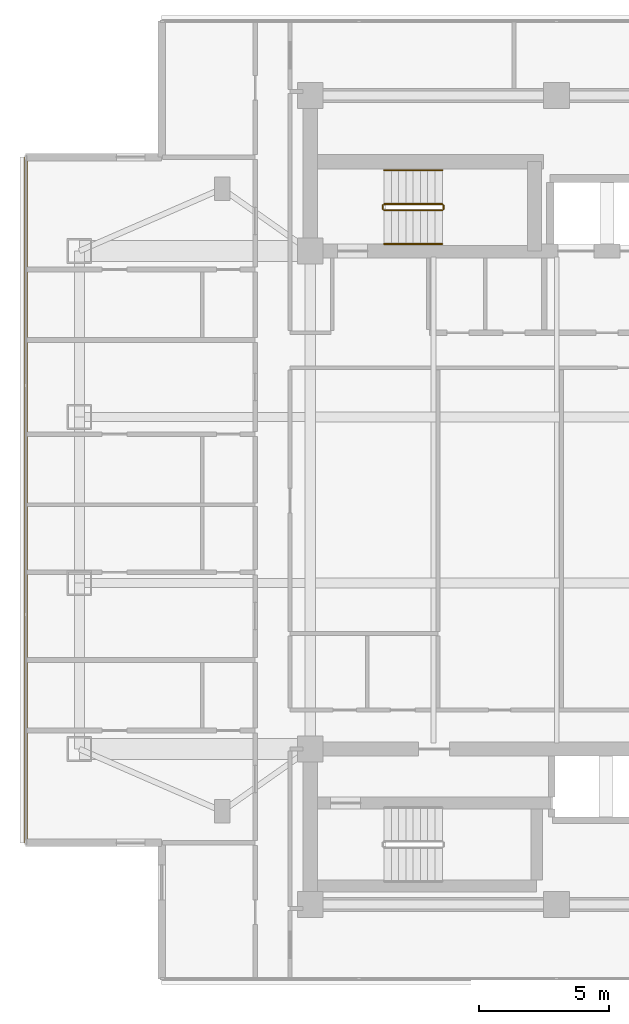
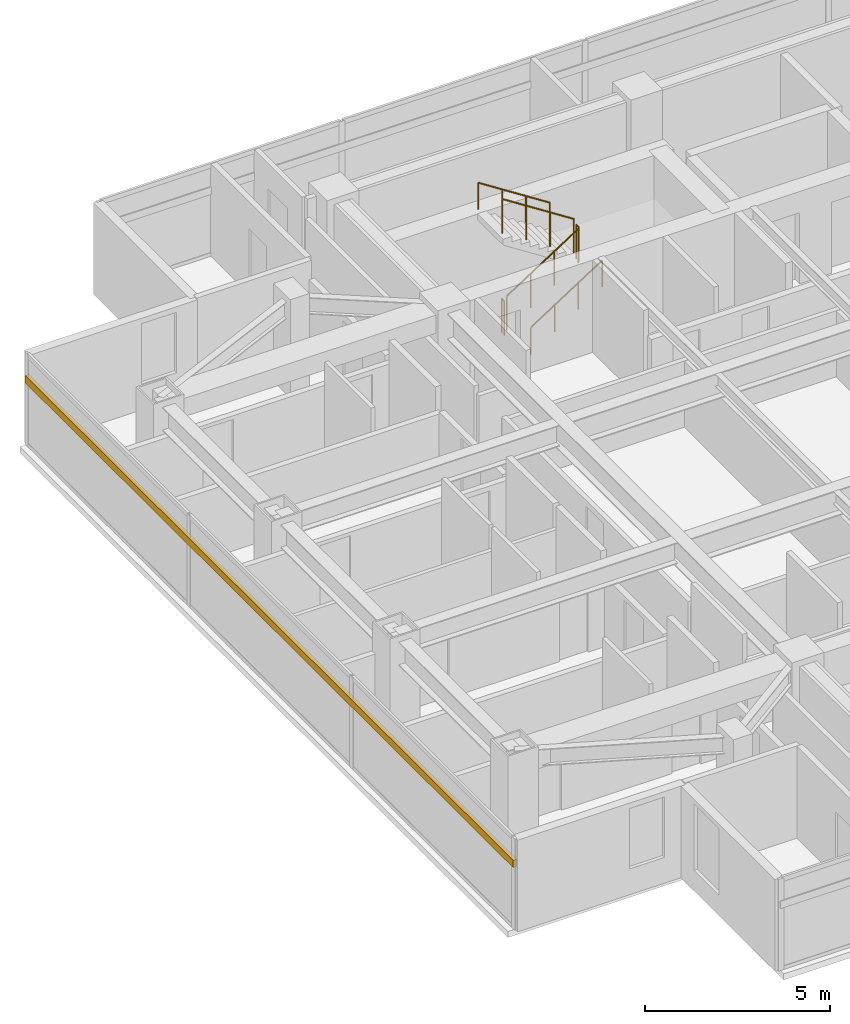
# One storey, part 20 of 24: 6 railings, 1 shading device.
"""IFC4 building model written with IfcOpenShell, lengths in metres."""

from ifc_helpers import new_model, si_unit, direction, frame, origin, origin_2d, place, context, subcontext, project, spatial, rectangle, circle, extrude, material, material_profile, profile_set, type_object, element, save


model = new_model("IFC4")

# Units and contexts
model_context = context("Model", 3, precision=1e-05, world=origin(), true_north=direction((0.0, 1.0)))
body_context = subcontext(model_context, "Body", "Model", "MODEL_VIEW")
ifc_project = project(units=[si_unit("LENGTHUNIT", "METRE"), si_unit("AREAUNIT", "SQUARE_METRE"), si_unit("VOLUMEUNIT", "CUBIC_METRE"), si_unit("PLANEANGLEUNIT", "RADIAN"), si_unit("MASSUNIT", "GRAM", prefix="KILO")], contexts=[model_context])

# Site, building, storey
site_placement = place(None, origin())
site = spatial("IfcSite", under=ifc_project, at=site_placement, CompositionType="ELEMENT")
building_placement = place(site_placement, origin())
building = spatial("IfcBuilding", under=site, at=building_placement, Name="Mirazonda Arch Towers", CompositionType="ELEMENT")
storey_placement = place(building_placement, frame((0.0, 0.0, 164.14990234375)))
storey = spatial("IfcBuildingStorey", under=building, at=storey_placement, Name="L46", CompositionType="ELEMENT", Elevation=164.14990234375)

# Shading device
ifc_material_1 = material(Name="Kiln-Fired Architectural Terracotta", Category="masonry")
ifc_material_profile = material_profile(ifc_material_1, rectangle(XDim=0.1201171875, YDim=0.239990234375, at=origin_2d()), Name="TERRA-BAG-120x240")
ifc_profile_set = profile_set([ifc_material_profile], Name="Kiln-Fired Architectural Terracotta")
shading_device_type = type_object("IfcShadingDeviceType", Name="BAGUETTE-1", PredefinedType="USERDEFINED", material=ifc_profile_set)
shading_device_placement = place(storey_placement, frame((0.030029296875, 41.218994140625, 2.181640625), z_axis=(0.0, -1.0, 0.0), x_axis=(1.0, 0.0, 0.0)))
element("IfcShadingDevice", 1, at=shading_device_placement, inside=storey, type_object=shading_device_type, Name="L46 Glazed Terracotta Sun-Screen Baguette CW-L46-T1-W", ObjectType="BAGUETTE", PredefinedType="USERDEFINED", context=body_context, shape_type="SweptSolid", body=[
    extrude(rectangle(XDim=0.1201171875, YDim=0.239990234375, at=origin_2d()), origin(), (0.0, 0.0, 1.0), 26.43798828125),
])

# Railings
ifc_material_2 = material(Name="Architectural Brushed Steel S355", Category="steel")
railing_type_1 = type_object("IfcRailingType", Name="GUARD-STAIR-1120", PredefinedType="GUARDRAIL", material=ifc_material_2)
railing_1_placement = place(storey_placement, frame((13.85009765625, 39.169921875, 0.1806640625)))
element("IfcRailing", 2, at=railing_1_placement, inside=storey, type_object=railing_type_1, Name="L46 ST-T1N stair guard 1", PredefinedType="GUARDRAIL", context=body_context, shape_type="SweptSolid", body=[
    extrude(circle(Radius=0.02392578125, at=origin_2d()), frame((0.0, 0.0, 1.1259765625), z_axis=(0.840436612492, 0.0, 0.541909863706), x_axis=(0.0, 1.0, 0.0)), (0.0, 0.0, 1.0), 2.665283203125),
    extrude(circle(Radius=0.02099609375, at=origin_2d()), origin(), (0.0, 0.0, 1.0), 1.101806640625),
    extrude(circle(Radius=0.02099609375, at=origin_2d()), frame((0.74658203125, 0.0, 0.4814453125)), (0.0, 0.0, 1.0), 1.101806640625),
    extrude(circle(Radius=0.02099609375, at=origin_2d()), frame((1.493408203125, 0.0, 0.962890625)), (0.0, 0.0, 1.0), 1.101806640625),
    extrude(circle(Radius=0.02099609375, at=origin_2d()), frame((2.239990234375, 0.0, 1.4443359375)), (0.0, 0.0, 1.0), 1.101806640625),
])
railing_2_placement = place(storey_placement, frame((16.139892578125, 39.219970703125, 1.625)))
element("IfcRailing", 3, at=railing_2_placement, inside=storey, type_object=railing_type_1, Name="L46 ST-T1N stair guard 2", PredefinedType="GUARDRAIL", context=body_context, shape_type="SweptSolid", body=[
    extrude(circle(Radius=0.02392578125, at=origin_2d()), frame((0.0, 0.0, 1.1259765625), z_axis=(0.0, 1.0, 0.0), x_axis=(-1.0, 0.0, 0.0)), (0.0, 0.0, 1.0), 0.14013671875),
    extrude(circle(Radius=0.02099609375, at=origin_2d()), origin(), (0.0, 0.0, 1.0), 1.101806640625),
    extrude(circle(Radius=0.02099609375, at=origin_2d()), frame((0.0, 0.14013671875, 0.0)), (0.0, 0.0, 1.0), 1.101806640625),
])
railing_3_placement = place(storey_placement, frame((16.090087890625, 39.409912109375, 1.8056640625)))
element("IfcRailing", 4, at=railing_3_placement, inside=storey, type_object=railing_type_1, Name="L46 ST-T1N stair guard 3", PredefinedType="GUARDRAIL", context=body_context, shape_type="SweptSolid", body=[
    extrude(circle(Radius=0.02392578125, at=origin_2d()), frame((0.0, 0.0, 1.1259765625), z_axis=(-0.840436612492, 0.0, 0.541909863706), x_axis=(0.0, -1.0, 0.0)), (0.0, 0.0, 1.0), 2.665283203125),
    extrude(circle(Radius=0.02099609375, at=origin_2d()), origin(), (0.0, 0.0, 1.0), 1.101806640625),
    extrude(circle(Radius=0.02099609375, at=origin_2d()), frame((-0.74658203125, 0.0, 0.4814453125)), (0.0, 0.0, 1.0), 1.101806640625),
    extrude(circle(Radius=0.02099609375, at=origin_2d()), frame((-1.493408203125, 0.0, 0.962890625)), (0.0, 0.0, 1.0), 1.101806640625),
    extrude(circle(Radius=0.02099609375, at=origin_2d()), frame((-2.239990234375, 0.0, 1.4443359375)), (0.0, 0.0, 1.0), 1.101806640625),
])
railing_4_placement = place(storey_placement, frame((13.800048828125, 39.219970703125, 0.0)))
element("IfcRailing", 5, at=railing_4_placement, inside=storey, type_object=railing_type_1, Name="L46 ST-T1N stair guard 4", PredefinedType="GUARDRAIL", context=body_context, shape_type="SweptSolid", body=[
    extrude(circle(Radius=0.02392578125, at=origin_2d()), frame((0.0, 0.0, 1.1259765625), z_axis=(0.0, 1.0, 0.0), x_axis=(-1.0, 0.0, 0.0)), (0.0, 0.0, 1.0), 0.14013671875),
    extrude(circle(Radius=0.02099609375, at=origin_2d()), origin(), (0.0, 0.0, 1.0), 1.101806640625),
    extrude(circle(Radius=0.02099609375, at=origin_2d()), frame((0.0, 0.14013671875, 0.0)), (0.0, 0.0, 1.0), 1.101806640625),
])
railing_type_2 = type_object("IfcRailingType", Name="HANDRAIL-915", PredefinedType="HANDRAIL", material=ifc_material_2)
railing_5_placement = place(storey_placement, frame((13.85009765625, 37.8701171875, 0.1806640625)))
element("IfcRailing", 6, at=railing_5_placement, inside=storey, type_object=railing_type_2, Name="L46 ST-T1N stair handrail 1", PredefinedType="HANDRAIL", context=body_context, shape_type="SweptSolid", body=[
    extrude(circle(Radius=0.02392578125, at=origin_2d()), frame((0.0, 0.0, 0.8759765625), z_axis=(0.840436612492, 0.0, 0.541909863706), x_axis=(0.0, 1.0, 0.0)), (0.0, 0.0, 1.0), 2.665283203125),
    extrude(circle(Radius=0.02099609375, at=origin_2d()), origin(), (0.0, 0.0, 1.0), 0.851806640625),
    extrude(circle(Radius=0.02099609375, at=origin_2d()), frame((0.74658203125, 0.0, 0.4814453125)), (0.0, 0.0, 1.0), 0.851806640625),
    extrude(circle(Radius=0.02099609375, at=origin_2d()), frame((1.493408203125, 0.0, 0.962890625)), (0.0, 0.0, 1.0), 0.851806640625),
    extrude(circle(Radius=0.02099609375, at=origin_2d()), frame((2.239990234375, 0.0, 1.4443359375)), (0.0, 0.0, 1.0), 0.851806640625),
])
railing_6_placement = place(storey_placement, frame((16.090087890625, 40.7099609375, 1.8056640625)))
element("IfcRailing", 7, at=railing_6_placement, inside=storey, type_object=railing_type_2, Name="L46 ST-T1N stair handrail 2", PredefinedType="HANDRAIL", context=body_context, shape_type="SweptSolid", body=[
    extrude(circle(Radius=0.02392578125, at=origin_2d()), frame((0.0, 0.0, 0.8759765625), z_axis=(-0.840436612492, 0.0, 0.541909863706), x_axis=(0.0, -1.0, 0.0)), (0.0, 0.0, 1.0), 2.665283203125),
    extrude(circle(Radius=0.02099609375, at=origin_2d()), origin(), (0.0, 0.0, 1.0), 0.851806640625),
    extrude(circle(Radius=0.02099609375, at=origin_2d()), frame((-0.74658203125, 0.0, 0.4814453125)), (0.0, 0.0, 1.0), 0.851806640625),
    extrude(circle(Radius=0.02099609375, at=origin_2d()), frame((-1.493408203125, 0.0, 0.962890625)), (0.0, 0.0, 1.0), 0.851806640625),
    extrude(circle(Radius=0.02099609375, at=origin_2d()), frame((-2.239990234375, 0.0, 1.4443359375)), (0.0, 0.0, 1.0), 0.851806640625),
])

save(model, "model.ifc")
